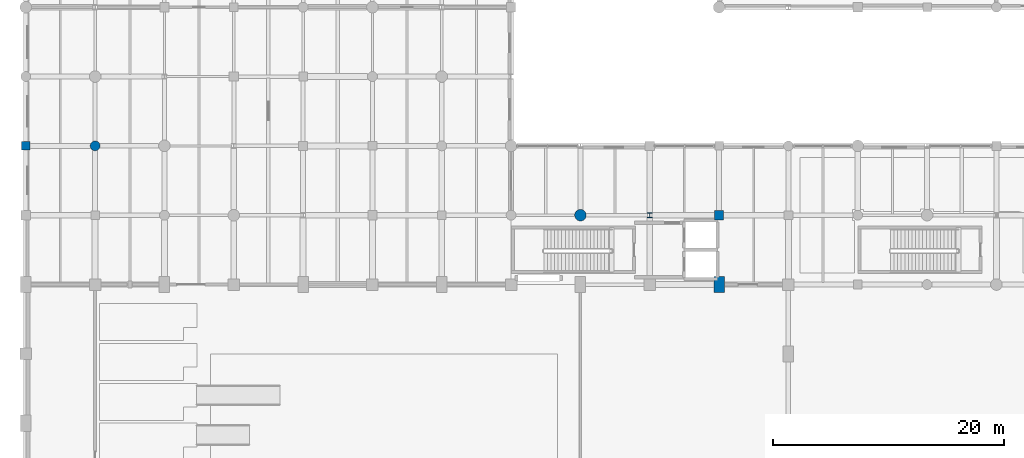
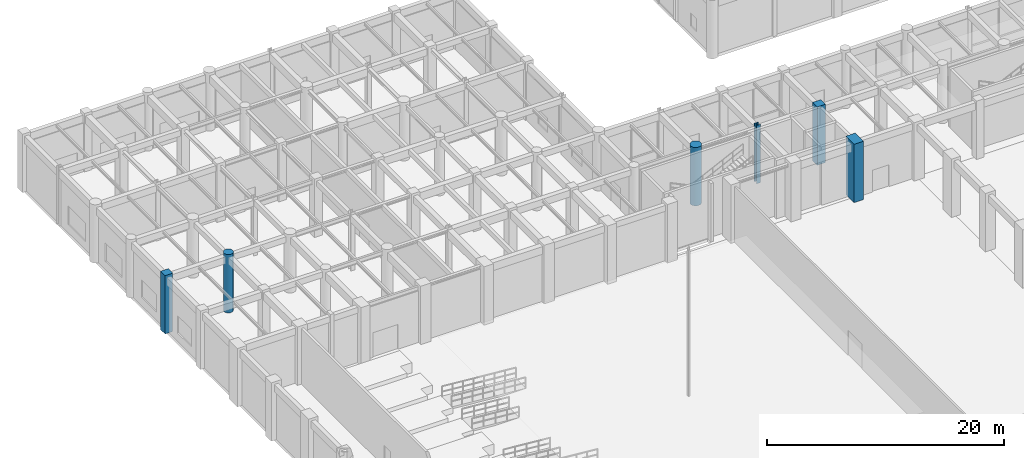
# One storey, part 9 of 106: 6 columns.
"""IFC4 building model written with IfcOpenShell, lengths in metres."""

from ifc_helpers import new_model, si_unit, direction, frame, origin, origin_2d, place, context, subcontext, project, spatial, rectangle, circle, i_section, extrude, material, material_profile, profile_set, type_object, element, save


model = new_model("IFC4")

# Units and contexts
model_context = context("Model", 3, precision=1e-05, world=origin(), true_north=direction((0.0, 1.0)))
body_context = subcontext(model_context, "Body", "Model", "MODEL_VIEW")
ifc_project = project(units=[si_unit("LENGTHUNIT", "METRE"), si_unit("AREAUNIT", "SQUARE_METRE"), si_unit("VOLUMEUNIT", "CUBIC_METRE"), si_unit("PLANEANGLEUNIT", "RADIAN"), si_unit("MASSUNIT", "GRAM", prefix="KILO"), si_unit("THERMODYNAMICTEMPERATUREUNIT", "KELVIN"), si_unit("POWERUNIT", "WATT")], contexts=[model_context])

# Site, building, storey
site_placement = place(None, origin())
site = spatial("IfcSite", under=ifc_project, at=site_placement, CompositionType="ELEMENT")
building_placement = place(site_placement, origin())
building = spatial("IfcBuilding", under=site, at=building_placement, Name="Phaisarnlok Congress Hotel", CompositionType="ELEMENT")
storey_placement = place(building_placement, origin())
storey = spatial("IfcBuildingStorey", under=building, at=storey_placement, Name="L00", CompositionType="ELEMENT", Elevation=0.0)

# Columns
ifc_material_1 = material(Name="Concrete C50/60", Category="concrete")
ifc_material_profile_1 = material_profile(ifc_material_1, rectangle(XDim=0.75, YDim=0.75, at=origin_2d()), Name="RC 750x750")
ifc_profile_set_1 = profile_set([ifc_material_profile_1], Name="Concrete C50/60")
column_type_1 = type_object("IfcColumnType", Name="COL-RC-750-EXT", PredefinedType="COLUMN", material=ifc_profile_set_1)
column_1_placement = place(storey_placement, frame((0.0, 96.0, 0.0), z_axis=(0.0, 0.0, 1.0), x_axis=(1.0, 0.0, 0.0)))
element("IfcColumn", 1, at=column_1_placement, inside=storey, type_object=column_type_1, Name="Column C-06E (L00)", PredefinedType="COLUMN", context=body_context, shape_type="SweptSolid", body=[
    extrude(rectangle(XDim=0.75, YDim=0.75, at=origin_2d()), origin(), (0.0, 0.0, 1.0), 6.0),
])
ifc_material_profile_2 = material_profile(ifc_material_1, rectangle(XDim=0.800048828125, YDim=0.800048828125, at=origin_2d()), Name="RC 800x800")
ifc_profile_set_2 = profile_set([ifc_material_profile_2], Name="Concrete C50/60")
column_type_2 = type_object("IfcColumnType", Name="COL-RC-800", PredefinedType="COLUMN", material=ifc_profile_set_2)
column_2_placement = place(storey_placement, frame((60.0, 90.0, 0.0), z_axis=(0.0, 0.0, 1.0), x_axis=(1.0, 0.0, 0.0)))
element("IfcColumn", 2, at=column_2_placement, inside=storey, type_object=column_type_2, Name="Column C-07 (L00)", PredefinedType="COLUMN", context=body_context, shape_type="SweptSolid", body=[
    extrude(rectangle(XDim=0.800048828125, YDim=0.800048828125, at=origin_2d()), origin(), (0.0, 0.0, 1.0), 6.0),
])
ifc_material_profile_3 = material_profile(ifc_material_1, rectangle(XDim=0.89990234375, YDim=1.39990234375, at=origin_2d()), Name="RC 900x1400")
ifc_profile_set_3 = profile_set([ifc_material_profile_3], Name="Concrete C50/60")
column_type_3 = type_object("IfcColumnType", Name="COL-RC-900x1400", PredefinedType="COLUMN", material=ifc_profile_set_3)
column_3_placement = place(storey_placement, frame((60.0, 84.0, 0.0), z_axis=(0.0, 0.0, 1.0), x_axis=(1.0, 0.0, 0.0)))
element("IfcColumn", 3, at=column_3_placement, inside=storey, type_object=column_type_3, Name="Column C-12 (L00)", PredefinedType="COLUMN", context=body_context, shape_type="SweptSolid", body=[
    extrude(rectangle(XDim=0.89990234375, YDim=1.39990234375, at=origin_2d()), origin(), (0.0, 0.0, 1.0), 6.0),
])
ifc_material_profile_4 = material_profile(ifc_material_1, circle(Radius=0.5, at=origin_2d()), Name="RCC D1000")
ifc_profile_set_4 = profile_set([ifc_material_profile_4], Name="Concrete C50/60")
column_type_4 = type_object("IfcColumnType", Name="COL-RCC-1000", PredefinedType="COLUMN", material=ifc_profile_set_4)
column_4_placement = place(storey_placement, frame((48.0, 90.0, 0.0), z_axis=(0.0, 0.0, 1.0), x_axis=(1.0, 0.0, 0.0)))
element("IfcColumn", 4, at=column_4_placement, inside=storey, type_object=column_type_4, Name="Column C-15 (L00)", PredefinedType="COLUMN", context=body_context, shape_type="SweptSolid", body=[
    extrude(circle(Radius=0.5, at=origin_2d()), origin(), (0.0, 0.0, 1.0), 6.0),
])
ifc_material_profile_5 = material_profile(ifc_material_1, circle(Radius=0.425048828125, at=origin_2d()), Name="RCC D850")
ifc_profile_set_5 = profile_set([ifc_material_profile_5], Name="Concrete C50/60")
column_type_5 = type_object("IfcColumnType", Name="COL-RCC-850", PredefinedType="COLUMN", material=ifc_profile_set_5)
column_5_placement = place(storey_placement, frame((6.0, 96.0, 0.0), z_axis=(0.0, 0.0, 1.0), x_axis=(1.0, 0.0, 0.0)))
element("IfcColumn", 5, at=column_5_placement, inside=storey, type_object=column_type_5, Name="Column C-14 (L00)", PredefinedType="COLUMN", context=body_context, shape_type="SweptSolid", body=[
    extrude(circle(Radius=0.425048828125, at=origin_2d()), origin(), (0.0, 0.0, 1.0), 6.0),
])
ifc_material_2 = material(Name="Steel S355", Category="steel")
ifc_material_profile_6 = material_profile(ifc_material_2, i_section(OverallWidth=0.40087890625, OverallDepth=0.39892578125, WebThickness=0.0185546875, FlangeThickness=0.030029296875, FilletRadius=0.014892578125, at=origin_2d()), Name="HD 400x314")
ifc_profile_set_6 = profile_set([ifc_material_profile_6], Name="Steel S355")
column_type_6 = type_object("IfcColumnType", Name="COL-STL-HD314", PredefinedType="COLUMN", material=ifc_profile_set_6)
column_6_placement = place(storey_placement, frame((54.0, 90.0, 0.0), z_axis=(0.0, 0.0, 1.0), x_axis=(1.0, 0.0, 0.0)))
element("IfcColumn", 6, at=column_6_placement, inside=storey, type_object=column_type_6, Name="Column SC-04 (L00)", PredefinedType="COLUMN", context=body_context, shape_type="SweptSolid", body=[
    extrude(i_section(OverallWidth=0.40087890625, OverallDepth=0.39892578125, WebThickness=0.0185546875, FlangeThickness=0.030029296875, FilletRadius=0.014892578125, at=origin_2d()), origin(), (0.0, 0.0, 1.0), 6.0),
])

save(model, "model.ifc")
